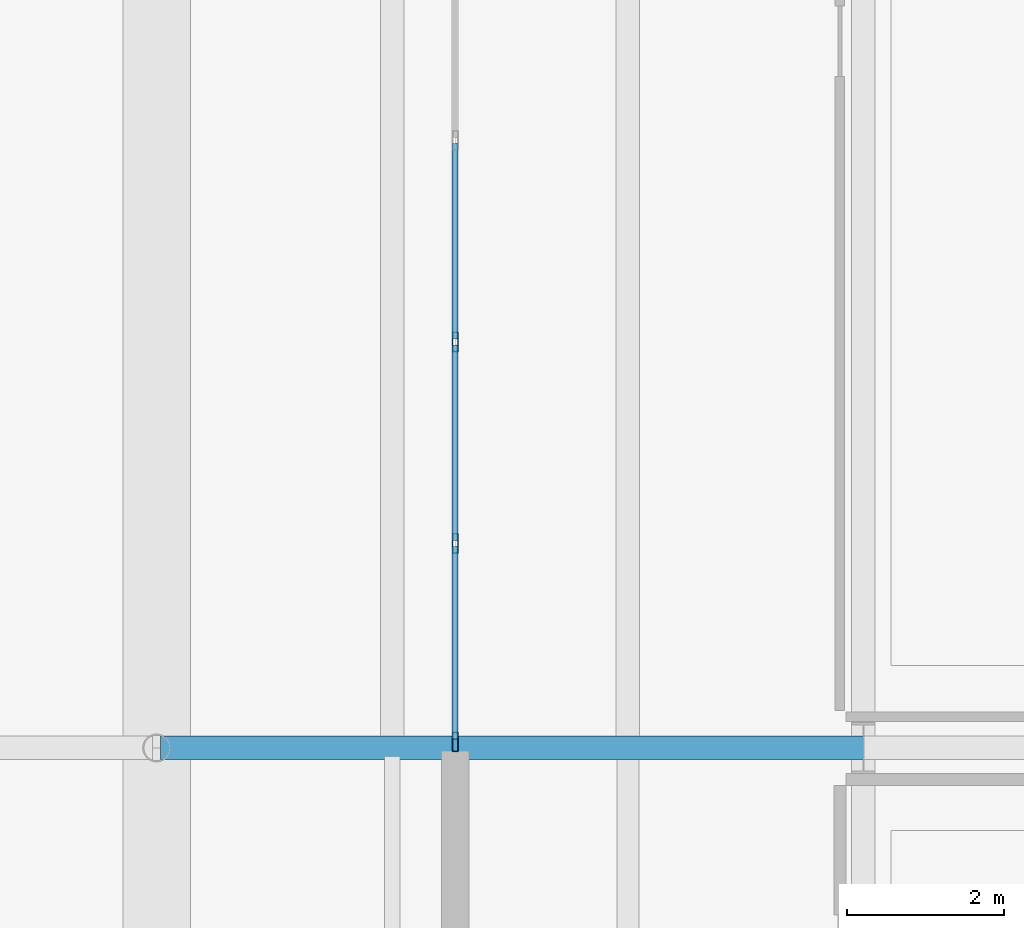
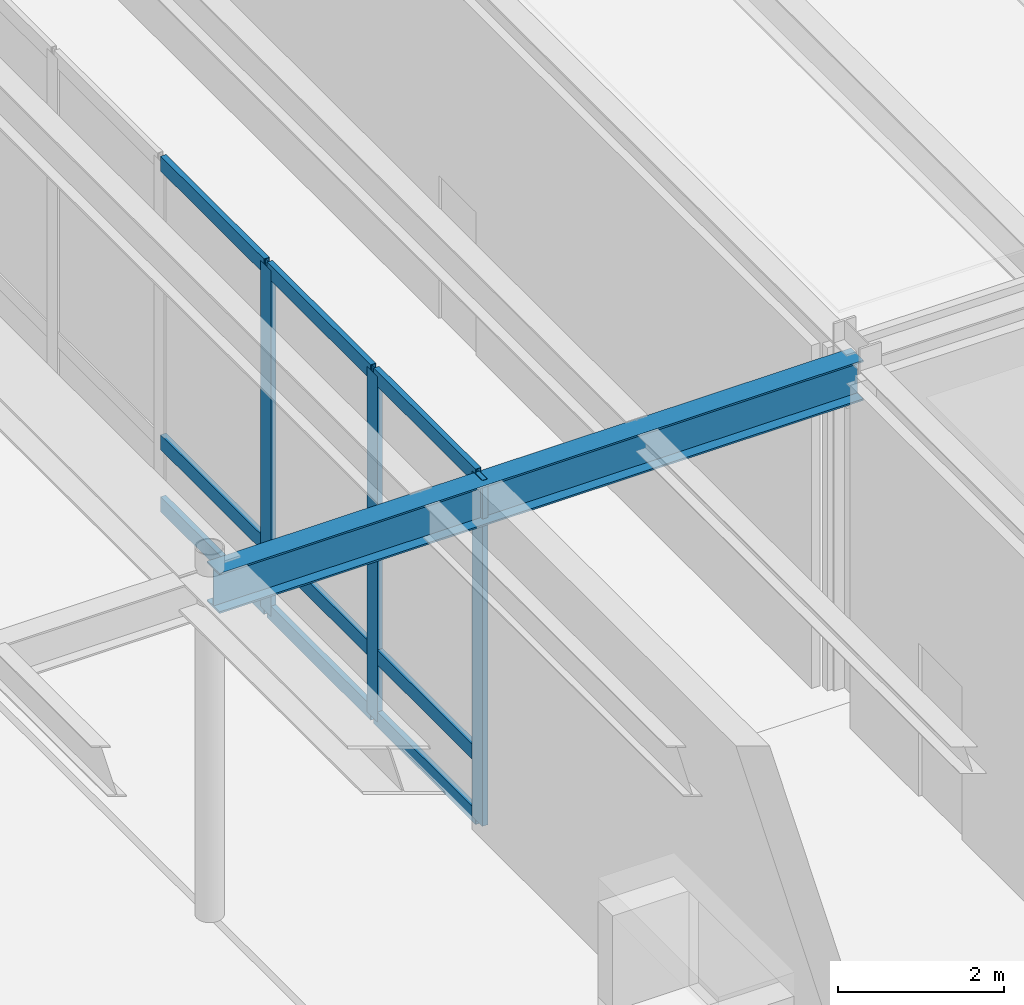
# One storey, part 38 of 143: 12 members, 1 beam, 1 element without a shape of its own.
"""IFC4 building model written with IfcOpenShell, lengths in metres."""

from ifc_helpers import new_model, si_unit, direction, frame, origin, origin_2d, place, context, subcontext, project, spatial, hollow_rectangle, i_section, extrude, material, layer, layer_set, material_profile, profile_set, type_object, element, aggregate, save


model = new_model("IFC4")

# Units and contexts
model_context = context("Model", 3, precision=1e-05, world=origin(), true_north=direction((0.0, 1.0)))
body_context = subcontext(model_context, "Body", "Model", "MODEL_VIEW")
ifc_project = project(units=[si_unit("LENGTHUNIT", "METRE"), si_unit("AREAUNIT", "SQUARE_METRE"), si_unit("VOLUMEUNIT", "CUBIC_METRE"), si_unit("PLANEANGLEUNIT", "RADIAN"), si_unit("MASSUNIT", "GRAM", prefix="KILO")], contexts=[model_context])

# Site, building, storey
site_placement = place(None, origin())
site = spatial("IfcSite", under=ifc_project, at=site_placement, CompositionType="ELEMENT")
building_placement = place(site_placement, origin())
building = spatial("IfcBuilding", under=site, at=building_placement, Name="Montelvaro Courts of Justice", CompositionType="ELEMENT")
storey_placement = place(building_placement, origin())
storey = spatial("IfcBuildingStorey", under=building, at=storey_placement, Name="L00", CompositionType="ELEMENT", Elevation=0.0)

# Beam
ifc_material_1 = material(Name="Steel S355", Category="steel")
ifc_material_profile_1 = material_profile(ifc_material_1, i_section(OverallWidth=0.300048828125, OverallDepth=0.590087890625, WebThickness=0.012939453125, FlangeThickness=0.02490234375, at=origin_2d()), Name="HEA 600")
ifc_profile_set_1 = profile_set([ifc_material_profile_1], Name="Steel S355")
beam_type = type_object("IfcBeamType", Name="Beam_HEA600", PredefinedType="USERDEFINED", material=ifc_profile_set_1)
beam_placement = place(storey_placement, frame((99.050048828125, 24.0, 4.784912109375), z_axis=(1.0, 0.0, 0.0), x_axis=(0.0, 1.0, 0.0)))
element("IfcBeam", 1, at=beam_placement, inside=storey, type_object=beam_type, Name="Beam B-21 L00", ObjectType="GIRDER", PredefinedType="USERDEFINED", context=body_context, shape_type="SweptSolid", body=[
    extrude(i_section(OverallWidth=0.300048828125, OverallDepth=0.590087890625, WebThickness=0.012939453125, FlangeThickness=0.02490234375, at=origin_2d()), origin(), (0.0, 0.0, 1.0), 8.949951171875),
])

# Curtain wall, members
ifc_material_2 = material(Name="Anodised aluminium EN AW-6063", Category="aluminium")
ifc_layer = layer(ifc_material_2, 0.159912109375)
ifc_layer_set = layer_set([ifc_layer], Name="Anodised aluminium EN AW-6063")
curtain_wall_type = type_object("IfcCurtainWallType", Name="CurtainWall_09_1796x508", PredefinedType="USERDEFINED", material=ifc_layer_set)
curtain_wall_placement = place(storey_placement, origin())
curtain_wall = element("IfcCurtainWall", 2, at=curtain_wall_placement, inside=storey, type_object=curtain_wall_type, Name="Curtain Wall CW-09 (L00)", ObjectType="CURTAIN WALL", PredefinedType="USERDEFINED")
ifc_material_profile_2 = material_profile(ifc_material_2, hollow_rectangle(XDim=0.074951171875, YDim=0.25, WallThickness=0.005615234375, at=origin_2d()), Name="ALU-M 75x250")
ifc_profile_set_2 = profile_set([ifc_material_profile_2], Name="Anodised aluminium EN AW-6063")
member_type_1 = type_object("IfcMemberType", Name="CurtainWall_Mullion_75x250", PredefinedType="MULLION", material=ifc_profile_set_2)
member_1_placement = place(storey_placement, frame((102.800048828125, 29.17138671875, 0.0), z_axis=(0.0, 0.0, 1.0), x_axis=(1.0, 0.0, 0.0)))
member_1 = element("IfcMember", 3, at=member_1_placement, type_object=member_type_1, Name="CW-09 mullion 6", PredefinedType="MULLION", context=body_context, shape_type="SweptSolid", body=[
    extrude(hollow_rectangle(XDim=0.074951171875, YDim=0.25, WallThickness=0.005615234375, at=origin_2d()), origin(), (0.0, 0.0, 1.0), 5.080078125),
])
member_2_placement = place(storey_placement, frame((102.800048828125, 26.605712890625, 0.0), z_axis=(0.0, 0.0, 1.0), x_axis=(1.0, 0.0, 0.0)))
member_2 = element("IfcMember", 4, at=member_2_placement, type_object=member_type_1, Name="CW-09 mullion 7", PredefinedType="MULLION", context=body_context, shape_type="SweptSolid", body=[
    extrude(hollow_rectangle(XDim=0.074951171875, YDim=0.25, WallThickness=0.005615234375, at=origin_2d()), origin(), (0.0, 0.0, 1.0), 5.080078125),
])
member_3_placement = place(storey_placement, frame((102.800048828125, 24.077392578125, 0.0), z_axis=(0.0, 0.0, 1.0), x_axis=(1.0, 0.0, 0.0)))
member_3 = element("IfcMember", 5, at=member_3_placement, type_object=member_type_1, Name="CW-09 mullion 8", PredefinedType="MULLION", context=body_context, shape_type="SweptSolid", body=[
    extrude(hollow_rectangle(XDim=0.074951171875, YDim=0.25, WallThickness=0.005615234375, at=origin_2d()), origin(), (0.0, 0.0, 1.0), 5.080078125),
])
ifc_material_profile_3 = material_profile(ifc_material_2, hollow_rectangle(XDim=0.074951171875, YDim=0.219970703125, WallThickness=0.005615234375, at=origin_2d()), Name="ALU-T 75x220")
ifc_profile_set_3 = profile_set([ifc_material_profile_3], Name="Anodised aluminium EN AW-6063")
member_type_2 = type_object("IfcMemberType", Name="CurtainWall_Transom_75x220", PredefinedType="USERDEFINED", material=ifc_profile_set_3)
member_4_placement = place(storey_placement, frame((102.800048828125, 31.69970703125, 0.03759765625), z_axis=(0.0, -1.0, 0.0), x_axis=(1.0, 0.0, 0.0)))
member_4 = element("IfcMember", 6, at=member_4_placement, type_object=member_type_2, Name="CW-09 transom 5.1", ObjectType="TRANSOM", PredefinedType="USERDEFINED", context=body_context, shape_type="SweptSolid", body=[
    extrude(hollow_rectangle(XDim=0.074951171875, YDim=0.219970703125, WallThickness=0.005615234375, at=origin_2d()), origin(), (0.0, 0.0, 1.0), 2.49072265625),
])
member_5_placement = place(storey_placement, frame((102.800048828125, 31.69970703125, 0.949951171875), z_axis=(0.0, -1.0, 0.0), x_axis=(1.0, 0.0, 0.0)))
member_5 = element("IfcMember", 7, at=member_5_placement, type_object=member_type_2, Name="CW-09 transom 5.2", ObjectType="TRANSOM", PredefinedType="USERDEFINED", context=body_context, shape_type="SweptSolid", body=[
    extrude(hollow_rectangle(XDim=0.074951171875, YDim=0.219970703125, WallThickness=0.005615234375, at=origin_2d()), origin(), (0.0, 0.0, 1.0), 2.49072265625),
])
member_6_placement = place(storey_placement, frame((102.800048828125, 31.69970703125, 5.04248046875), z_axis=(0.0, -1.0, 0.0), x_axis=(1.0, 0.0, 0.0)))
member_6 = element("IfcMember", 8, at=member_6_placement, type_object=member_type_2, Name="CW-09 transom 5.3", ObjectType="TRANSOM", PredefinedType="USERDEFINED", context=body_context, shape_type="SweptSolid", body=[
    extrude(hollow_rectangle(XDim=0.074951171875, YDim=0.219970703125, WallThickness=0.005615234375, at=origin_2d()), origin(), (0.0, 0.0, 1.0), 2.49072265625),
])
member_7_placement = place(storey_placement, frame((102.800048828125, 29.134033203125, 0.03759765625), z_axis=(0.0, -1.0, 0.0), x_axis=(1.0, 0.0, 0.0)))
member_7 = element("IfcMember", 9, at=member_7_placement, type_object=member_type_2, Name="CW-09 transom 6.1", ObjectType="TRANSOM", PredefinedType="USERDEFINED", context=body_context, shape_type="SweptSolid", body=[
    extrude(hollow_rectangle(XDim=0.074951171875, YDim=0.219970703125, WallThickness=0.005615234375, at=origin_2d()), origin(), (0.0, 0.0, 1.0), 2.49072265625),
])
member_8_placement = place(storey_placement, frame((102.800048828125, 29.134033203125, 0.949951171875), z_axis=(0.0, -1.0, 0.0), x_axis=(1.0, 0.0, 0.0)))
member_8 = element("IfcMember", 10, at=member_8_placement, type_object=member_type_2, Name="CW-09 transom 6.2", ObjectType="TRANSOM", PredefinedType="USERDEFINED", context=body_context, shape_type="SweptSolid", body=[
    extrude(hollow_rectangle(XDim=0.074951171875, YDim=0.219970703125, WallThickness=0.005615234375, at=origin_2d()), origin(), (0.0, 0.0, 1.0), 2.49072265625),
])
member_9_placement = place(storey_placement, frame((102.800048828125, 29.134033203125, 5.04248046875), z_axis=(0.0, -1.0, 0.0), x_axis=(1.0, 0.0, 0.0)))
member_9 = element("IfcMember", 11, at=member_9_placement, type_object=member_type_2, Name="CW-09 transom 6.3", ObjectType="TRANSOM", PredefinedType="USERDEFINED", context=body_context, shape_type="SweptSolid", body=[
    extrude(hollow_rectangle(XDim=0.074951171875, YDim=0.219970703125, WallThickness=0.005615234375, at=origin_2d()), origin(), (0.0, 0.0, 1.0), 2.49072265625),
])
member_10_placement = place(storey_placement, frame((102.800048828125, 26.568115234375, 0.03759765625), z_axis=(0.0, -1.0, 0.0), x_axis=(1.0, 0.0, 0.0)))
member_10 = element("IfcMember", 12, at=member_10_placement, type_object=member_type_2, Name="CW-09 transom 7.1", ObjectType="TRANSOM", PredefinedType="USERDEFINED", context=body_context, shape_type="SweptSolid", body=[
    extrude(hollow_rectangle(XDim=0.074951171875, YDim=0.219970703125, WallThickness=0.005615234375, at=origin_2d()), origin(), (0.0, 0.0, 1.0), 2.453125),
])
member_11_placement = place(storey_placement, frame((102.800048828125, 26.568115234375, 0.949951171875), z_axis=(0.0, -1.0, 0.0), x_axis=(1.0, 0.0, 0.0)))
member_11 = element("IfcMember", 13, at=member_11_placement, type_object=member_type_2, Name="CW-09 transom 7.2", ObjectType="TRANSOM", PredefinedType="USERDEFINED", context=body_context, shape_type="SweptSolid", body=[
    extrude(hollow_rectangle(XDim=0.074951171875, YDim=0.219970703125, WallThickness=0.005615234375, at=origin_2d()), origin(), (0.0, 0.0, 1.0), 2.453125),
])
member_12_placement = place(storey_placement, frame((102.800048828125, 26.568115234375, 5.04248046875), z_axis=(0.0, -1.0, 0.0), x_axis=(1.0, 0.0, 0.0)))
member_12 = element("IfcMember", 14, at=member_12_placement, type_object=member_type_2, Name="CW-09 transom 7.3", ObjectType="TRANSOM", PredefinedType="USERDEFINED", context=body_context, shape_type="SweptSolid", body=[
    extrude(hollow_rectangle(XDim=0.074951171875, YDim=0.219970703125, WallThickness=0.005615234375, at=origin_2d()), origin(), (0.0, 0.0, 1.0), 2.453125),
])
aggregate(curtain_wall, [member_1, member_2, member_3, member_4, member_5, member_6, member_7, member_8, member_9, member_10, member_11, member_12])

save(model, "model.ifc")
